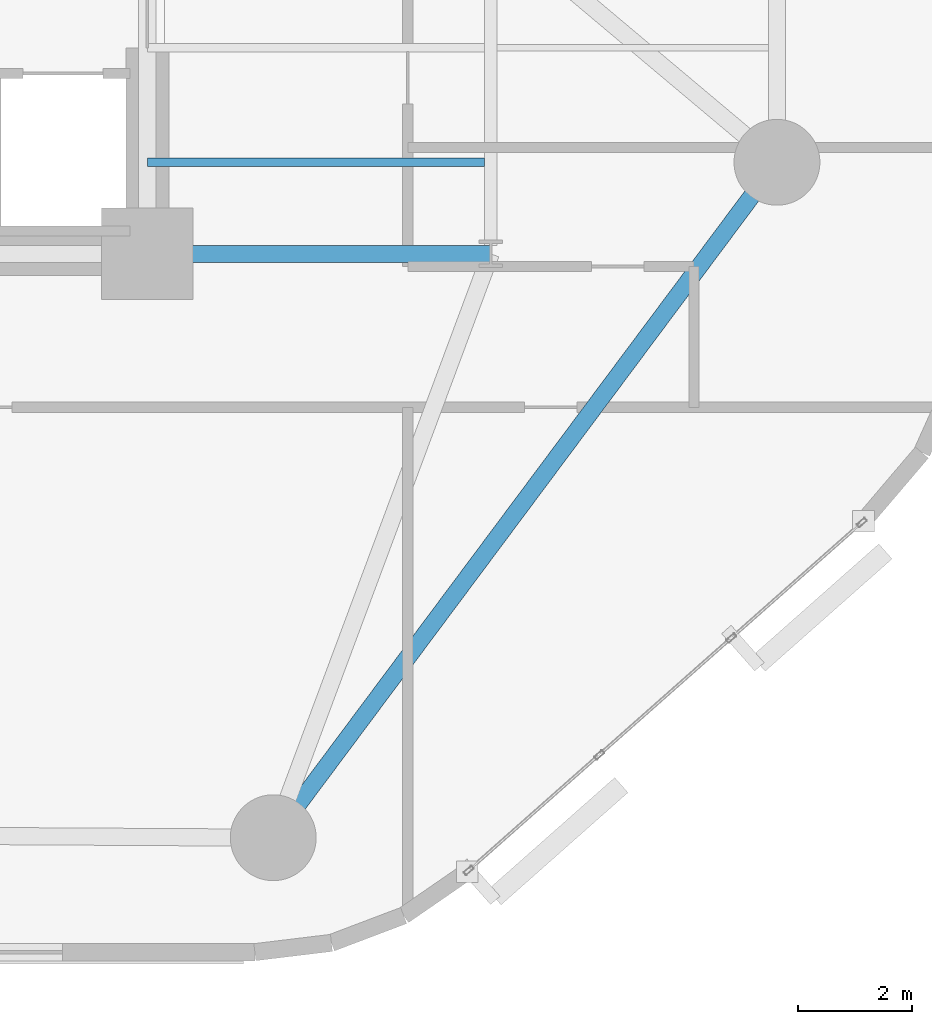
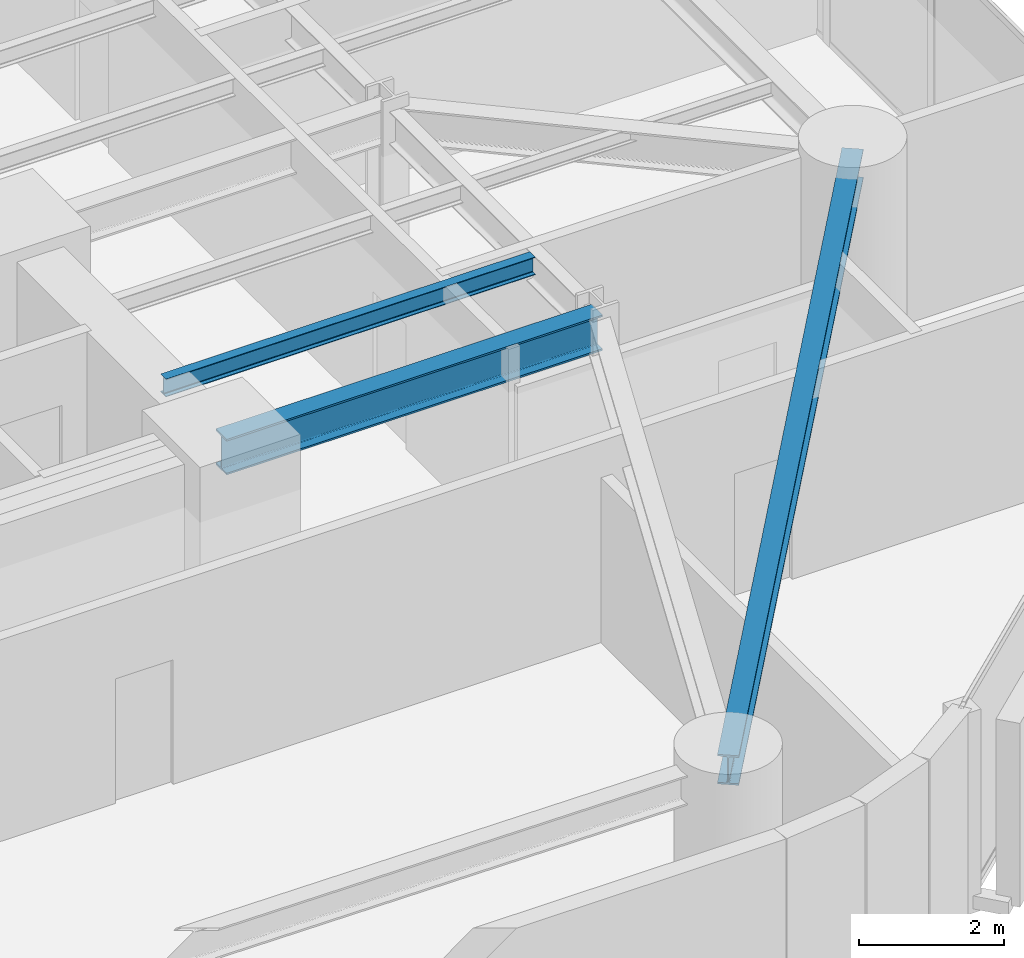
# One storey, part 3 of 16: 3 beams.
"""IFC4 building model written with IfcOpenShell, lengths in metres."""

import ifcopenshell
import ifcopenshell.guid

model = None  # the IFC model being written
_history = None  # IfcOwnerHistory: only IFC2X3 demands one
_inside = {}  # id of a spatial element -> (the spatial element, [elements in it])
_under = {}  # id of a project, library or spatial element -> (it, [spatial elements below it])
_declared = {}  # id of a project -> (the project, [libraries it declares])
_typed = {}  # id of a type object -> (the type object, [elements of that type])
_made_of = {}  # id of a material, layer set ... -> (it, [elements and type objects made of it])


def new_model(schema):
    """Start an empty IFC model of exactly this schema.

    Asked for "IFC4X3", IfcOpenShell would pick the latest addendum, in which some entities
    have other attributes; the version numbers below select the first issue.
    IFC2X3 requires an IfcOwnerHistory on every rooted entity: one is made here for all.
    """
    global model, _history
    if schema == "IFC4X3":
        model = ifcopenshell.file(schema_version=(4, 3, 0, 0))
    else:
        model = ifcopenshell.file(schema=schema)
    _inside.clear()
    _under.clear()
    _declared.clear()
    _typed.clear()
    _made_of.clear()
    _history = None
    if model.schema == "IFC2X3":
        org = make("IfcOrganization", Name="unknown")
        user = make(
            "IfcPersonAndOrganization",
            ThePerson=make("IfcPerson", FamilyName="unknown"),
            TheOrganization=org,
        )
        app = make(
            "IfcApplication",
            ApplicationDeveloper=org,
            Version="unknown",
            ApplicationFullName="unknown",
            ApplicationIdentifier="unknown",
        )
        _history = make(
            "IfcOwnerHistory",
            OwningUser=user,
            OwningApplication=app,
            ChangeAction="ADDED",
            CreationDate=0,
        )
    return model


def make(cls, **values):
    """One entity of the class cls with the attributes given. An attribute that is None is left unset."""
    return model.create_entity(
        cls, **{name: value for name, value in values.items() if value is not None}
    )


def rooted(cls, **values):
    """An entity with a GlobalId (a new one), such as an element, a storey or a relation."""
    return make(cls, GlobalId=ifcopenshell.guid.new(), OwnerHistory=_history, **values)


def si_unit(unit_type, name, prefix=None):
    """IfcSIUnit, for example si_unit("LENGTHUNIT", "METRE", prefix="MILLI")."""
    return make("IfcSIUnit", UnitType=unit_type, Prefix=prefix, Name=name)


def assignment(units):
    """IfcUnitAssignment: the units of a project."""
    return None if units is None else make("IfcUnitAssignment", Units=units)


def point(xyz):
    """IfcCartesianPoint."""
    return None if xyz is None else make("IfcCartesianPoint", Coordinates=xyz)


def direction(xyz):
    """IfcDirection."""
    return None if xyz is None else make("IfcDirection", DirectionRatios=xyz)


def frame(location, z_axis=None, x_axis=None):
    """IfcAxis2Placement3D, a coordinate frame: its origin and axes. An axis left out is left unset."""
    return make(
        "IfcAxis2Placement3D",
        Location=point(location),
        Axis=direction(z_axis),
        RefDirection=direction(x_axis),
    )


def frame_2d(location, x_axis=None):
    """IfcAxis2Placement2D, a coordinate frame in the plane: its origin and x axis."""
    return make(
        "IfcAxis2Placement2D", Location=point(location), RefDirection=direction(x_axis)
    )


def origin():
    """The frame at (0, 0, 0) with its axes left unset."""
    return frame((0.0, 0.0, 0.0))


def origin_2d():
    """The frame at (0, 0) in the plane with its x axis left unset."""
    return frame_2d((0.0, 0.0))


def place(relative_to, where):
    """IfcLocalPlacement: puts the frame where relative to a parent placement (None: the world)."""
    return make(
        "IfcLocalPlacement", PlacementRelTo=relative_to, RelativePlacement=where
    )


def context(
    kind, dimensions, precision=None, world=None, true_north=None, identifier=None
):
    """IfcGeometricRepresentationContext, for example the 3D "Model" context."""
    return make(
        "IfcGeometricRepresentationContext",
        ContextIdentifier=identifier,
        ContextType=kind,
        CoordinateSpaceDimension=dimensions,
        Precision=precision,
        WorldCoordinateSystem=world,
        TrueNorth=true_north,
    )


def subcontext(parent, identifier, kind, view, scale=None):
    """IfcGeometricRepresentationSubContext, for example "Body" below "Model"."""
    return make(
        "IfcGeometricRepresentationSubContext",
        ContextIdentifier=identifier,
        ContextType=kind,
        ParentContext=parent,
        TargetScale=scale,
        TargetView=view,
    )


def project(units=None, contexts=None):
    """IfcProject with its units and contexts."""
    return rooted(
        "IfcProject",
        Name="project",
        RepresentationContexts=contexts,
        UnitsInContext=assignment(units),
    )


def spatial(cls, under=None, at=None, **own):
    """A site, building, storey or space (cls), placed at a placement, below another one or the project."""
    s = rooted(cls, ObjectPlacement=at, **own)
    if under is not None:
        _under.setdefault(under.id(), (under, []))[1].append(s)
    return s


def profile(cls, at=None, kind="AREA", **sizes):
    """A parametric profile (cls). Its sizes go by their IFC names, for example OverallWidth=200.0."""
    return make(cls, ProfileType=kind, Position=at, **sizes)


def i_section(**sizes):
    """IfcIShapeProfileDef."""
    return profile("IfcIShapeProfileDef", **sizes)


def extrude(swept, where, along, depth):
    """IfcExtrudedAreaSolid: the profile swept, set in the frame where, extruded along a direction by depth."""
    return make(
        "IfcExtrudedAreaSolid",
        SweptArea=swept,
        Position=where,
        ExtrudedDirection=direction(along),
        Depth=depth,
    )


def shape(context_of_items, identifier, shape_type, items):
    """IfcShapeRepresentation: the items that make up one representation, for example the "Body"."""
    return make(
        "IfcShapeRepresentation",
        ContextOfItems=context_of_items,
        RepresentationIdentifier=identifier,
        RepresentationType=shape_type,
        Items=items,
    )


def material(Name=None, Category=None):
    """IfcMaterial."""
    return make("IfcMaterial", Name=Name, Category=Category)


def material_profile(
    of_material, cross_section, Name=None, Category=None, Priority=None
):
    """IfcMaterialProfile: a cross section and its material."""
    return make(
        "IfcMaterialProfile",
        Name=Name,
        Material=of_material,
        Profile=cross_section,
        Priority=Priority,
        Category=Category,
    )


def profile_set(profiles, Name=None, composite=None):
    """IfcMaterialProfileSet."""
    return make(
        "IfcMaterialProfileSet",
        Name=Name,
        MaterialProfiles=profiles,
        CompositeProfile=composite,
    )


def made_of(thing, what):
    """Note that an element or type object is made of a material, layer set ...; save() writes the relation."""
    if what is not None:
        _made_of.setdefault(what.id(), (what, []))[1].append(thing)
    return thing


def type_object(cls, material=None, **own):
    """A type object (cls), such as IfcWallType, which elements share."""
    return made_of(rooted(cls, **own), material)


def element(
    cls,
    number,
    at=None,
    inside=None,
    cuts=None,
    type_object=None,
    material=None,
    context=None,
    identifier="Body",
    shape_type=None,
    held_by="IfcProductDefinitionShape",
    body=None,
    shapes=None,
    **own,
):
    """One element of the class cls, such as IfcWall. Its Tag is "e" and its number.

    at: its placement. inside: the storey or other place that contains it. cuts: it is an
    opening in that element (IfcRelVoidsElement). A single representation is given by context,
    identifier, shape_type and body (its items); several are given by shapes. held_by: the class
    of the entity that holds the representations. save() writes the other relations.
    """
    e = rooted(cls, Tag="e%d" % number, ObjectPlacement=at, **own)
    if body is not None:
        shapes = [shape(context, identifier, shape_type, body)]
    if shapes is not None:
        e.Representation = make(held_by, Representations=shapes)
    if inside is not None:
        _inside.setdefault(inside.id(), (inside, []))[1].append(e)
    if cuts is not None:
        rooted(
            "IfcRelVoidsElement", RelatingBuildingElement=cuts, RelatedOpeningElement=e
        )
    if type_object is not None:
        _typed.setdefault(type_object.id(), (type_object, []))[1].append(e)
    return made_of(e, material)


def aggregate(whole, parts):
    """IfcRelAggregates: a whole, such as a stair, and the parts it consists of."""
    return rooted("IfcRelAggregates", RelatingObject=whole, RelatedObjects=parts)


def save(model, path):
    """Write the relations noted so far, then the file.

    IfcRelAggregates (storeys below a building ...), IfcRelContainedInSpatialStructure (elements
    in a storey), IfcRelDefinesByType, IfcRelAssociatesMaterial and IfcRelDeclares: one each for
    every whole, place, type object, material and project.
    """
    for whole, parts in _under.values():
        aggregate(whole, parts)
    for where, things in _inside.values():
        rooted(
            "IfcRelContainedInSpatialStructure",
            RelatedElements=things,
            RelatingStructure=where,
        )
    for kind, things in _typed.values():
        rooted("IfcRelDefinesByType", RelatedObjects=things, RelatingType=kind)
    for what, things in _made_of.values():
        rooted("IfcRelAssociatesMaterial", RelatedObjects=things, RelatingMaterial=what)
    for by, libraries in _declared.values():
        rooted("IfcRelDeclares", RelatingContext=by, RelatedDefinitions=libraries)
    model.write(path)


model = new_model("IFC4")

# Units and contexts
model_context = context("Model", 3, precision=1e-05, world=origin(), true_north=direction((0.0, 1.0)))
body_context = subcontext(model_context, "Body", "Model", "MODEL_VIEW")
ifc_project = project(units=[si_unit("LENGTHUNIT", "METRE"), si_unit("AREAUNIT", "SQUARE_METRE"), si_unit("VOLUMEUNIT", "CUBIC_METRE"), si_unit("PLANEANGLEUNIT", "RADIAN"), si_unit("MASSUNIT", "GRAM", prefix="KILO")], contexts=[model_context])

# Site, building, storey
site_placement = place(None, origin())
site = spatial("IfcSite", under=ifc_project, at=site_placement, CompositionType="ELEMENT")
building_placement = place(site_placement, origin())
building = spatial("IfcBuilding", under=site, at=building_placement, Name="An Khanh Terracotta Commons", CompositionType="ELEMENT")
storey_placement = place(building_placement, frame((0.0, 0.0, 43.199951171875)))
storey = spatial("IfcBuildingStorey", under=building, at=storey_placement, Name="L11", CompositionType="ELEMENT", Elevation=43.199951171875)

# Beams
ifc_material = material(Name="Steel S355J2", Category="steel")
ifc_material_profile_1 = material_profile(ifc_material, i_section(OverallWidth=0.300048828125, OverallDepth=0.5, WebThickness=0.014404296875, FlangeThickness=0.028076171875, FilletRadius=0.027099609375, at=origin_2d()), Name="HEB500")
ifc_profile_set_1 = profile_set([ifc_material_profile_1], Name="Steel S355J2")
beam_type_1 = type_object("IfcBeamType", Name="BM-HEB500", PredefinedType="BEAM", material=ifc_profile_set_1)
beam_1_placement = place(storey_placement, frame((39.39990234375, 4.199951171875, 3.150146484375), z_axis=(0.59782442166, 0.801627070942, 0.0), x_axis=(-0.801627070942, 0.59782442166, 0.0)))
element("IfcBeam", 1, at=beam_1_placement, inside=storey, type_object=beam_type_1, Name="L11 Perimeter Ring Spandrel 2", PredefinedType="BEAM", context=body_context, shape_type="SweptSolid", body=[
    extrude(i_section(OverallWidth=0.300048828125, OverallDepth=0.5, WebThickness=0.014404296875, FlangeThickness=0.028076171875, FilletRadius=0.027099609375, at=origin_2d()), origin(), (0.0, 0.0, 1.0), 14.72021484375),
])
ifc_material_profile_2 = material_profile(ifc_material, i_section(OverallWidth=0.300048828125, OverallDepth=0.60009765625, WebThickness=0.015380859375, FlangeThickness=0.030029296875, FilletRadius=0.027099609375, at=origin_2d()), Name="HEB600")
ifc_profile_set_2 = profile_set([ifc_material_profile_2], Name="Steel S355J2")
beam_type_2 = type_object("IfcBeamType", Name="BM-HEB600", PredefinedType="BEAM", material=ifc_profile_set_2)
beam_2_placement = place(storey_placement, frame((37.199951171875, 14.39990234375, 3.10009765625), z_axis=(1.0, 0.0, 0.0), x_axis=(0.0, 1.0, 0.0)))
element("IfcBeam", 2, at=beam_2_placement, inside=storey, type_object=beam_type_2, Name="L11 East Primary Floor Girder 1", PredefinedType="BEAM", context=body_context, shape_type="SweptSolid", body=[
    extrude(i_section(OverallWidth=0.300048828125, OverallDepth=0.60009765625, WebThickness=0.015380859375, FlangeThickness=0.030029296875, FilletRadius=0.027099609375, at=origin_2d()), origin(), (0.0, 0.0, 1.0), 6.0),
])
ifc_material_profile_3 = material_profile(ifc_material, i_section(OverallWidth=0.14990234375, OverallDepth=0.300048828125, WebThickness=0.007080078125, FlangeThickness=0.0107421875, FilletRadius=0.014892578125, at=origin_2d()), Name="IPE300")
ifc_profile_set_3 = profile_set([ifc_material_profile_3], Name="Steel S355J2")
beam_type_3 = type_object("IfcBeamType", Name="BM-IPE300", PredefinedType="JOIST", material=ifc_profile_set_3)
beam_3_placement = place(storey_placement, frame((37.199951171875, 16.0, 3.25), z_axis=(1.0, 0.0, 0.0), x_axis=(0.0, 1.0, 0.0)))
element("IfcBeam", 3, at=beam_3_placement, inside=storey, type_object=beam_type_3, Name="L11 Inboard Composite Joist 1", PredefinedType="JOIST", context=body_context, shape_type="SweptSolid", body=[
    extrude(i_section(OverallWidth=0.14990234375, OverallDepth=0.300048828125, WebThickness=0.007080078125, FlangeThickness=0.0107421875, FilletRadius=0.014892578125, at=origin_2d()), origin(), (0.0, 0.0, 1.0), 5.89501953125),
])

save(model, "model.ifc")
